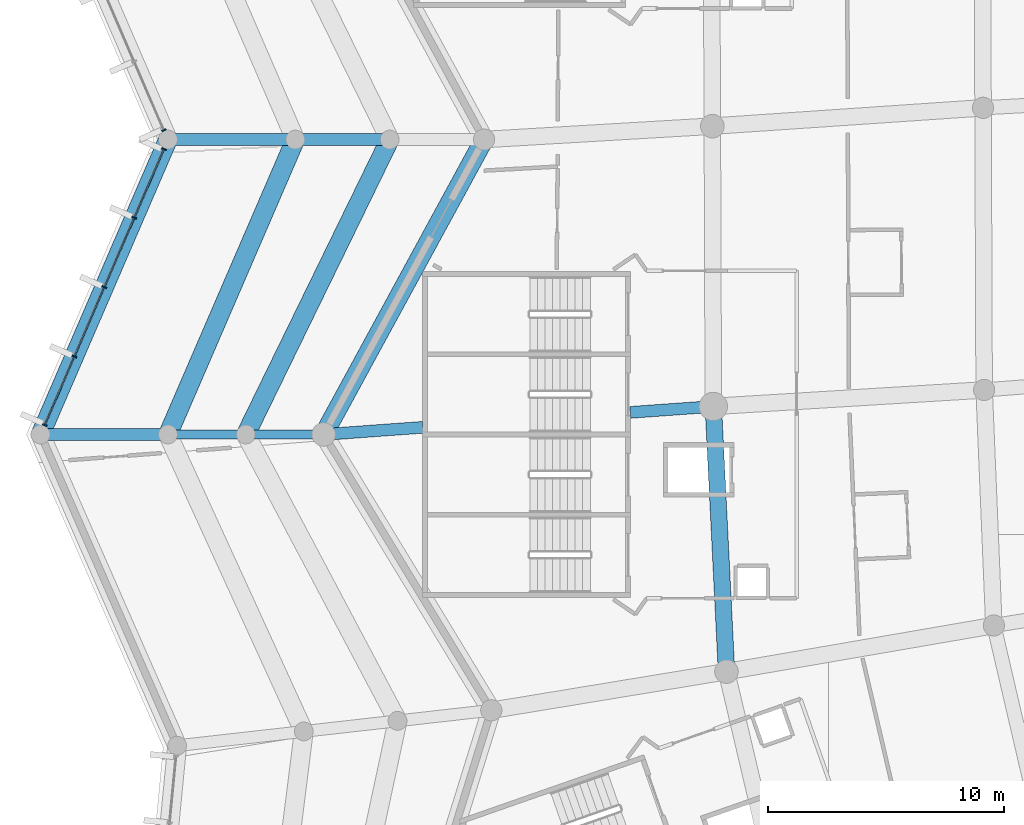
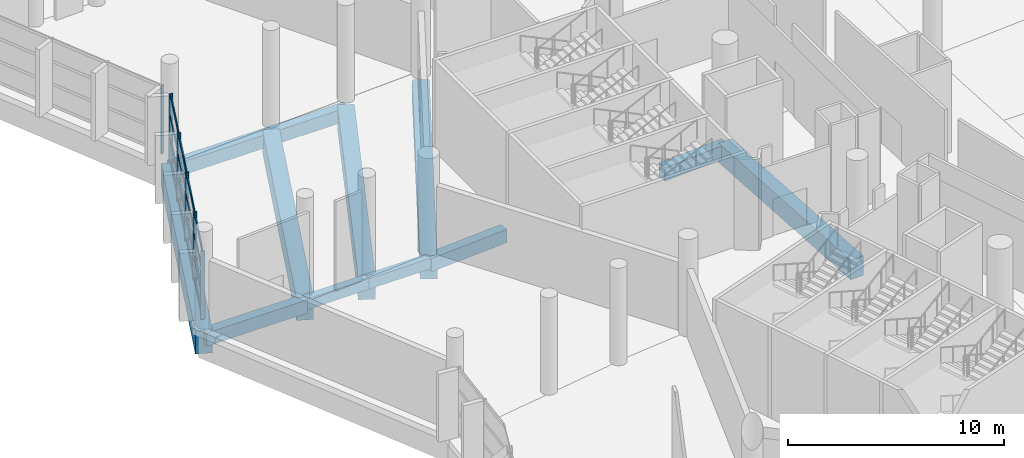
# One storey, part 30 of 271: 22 members, 12 beams, 2 elements without a shape of their own.
"""IFC4 building model written with IfcOpenShell, lengths in metres."""

from ifc_helpers import new_model, si_unit, direction, frame, origin, origin_2d, place, context, subcontext, project, spatial, rectangle, extrude, material, layer, layer_set, material_profile, profile_set, type_object, element, aggregate, save


model = new_model("IFC4")

# Units and contexts
model_context = context("Model", 3, precision=1e-05, world=origin(), true_north=direction((0.0, 1.0)))
body_context = subcontext(model_context, "Body", "Model", "MODEL_VIEW")
ifc_project = project(units=[si_unit("LENGTHUNIT", "METRE"), si_unit("AREAUNIT", "SQUARE_METRE"), si_unit("VOLUMEUNIT", "CUBIC_METRE"), si_unit("PLANEANGLEUNIT", "RADIAN"), si_unit("MASSUNIT", "GRAM", prefix="KILO")], contexts=[model_context])

# Site, building, storey
site_placement = place(None, origin())
site = spatial("IfcSite", under=ifc_project, at=site_placement, CompositionType="ELEMENT")
building_placement = place(site_placement, origin())
building = spatial("IfcBuilding", under=site, at=building_placement, Name="Meseta Stadium", CompositionType="ELEMENT")
storey_placement = place(building_placement, frame((0.0, 0.0, 6.5)))
storey = spatial("IfcBuildingStorey", under=building, at=storey_placement, Name="L01", CompositionType="ELEMENT", Elevation=6.5)

# Beams
ifc_material_1 = material(Name="Concrete C40/50", Category="concrete")
ifc_material_profile_1 = material_profile(ifc_material_1, rectangle(XDim=0.39990234375, YDim=0.60009765625, at=origin_2d()), Name="RC 400x600")
ifc_profile_set_1 = profile_set([ifc_material_profile_1], Name="Concrete C40/50")
beam_type_1 = type_object("IfcBeamType", Name="RC beam 400x600", PredefinedType="BEAM", material=ifc_profile_set_1)
for number, where, z_axis, x_axis, name in (
    (1, (-101.39990234375, -43.75, -0.64990234375), (-1.0, 0.0, 0.0), (0.0, -1.0, 0.0), "L01 radial beam frame 36 line R to M"),
    (2, (-104.699951171875, -43.75, -0.64990234375), (-1.0, 0.0, 0.0), (0.0, -1.0, 0.0), "L01 radial beam frame 36 line M to Q"),
):
    element("IfcBeam", number, at=place(storey_placement, frame(where, z_axis=z_axis, x_axis=x_axis)), inside=storey, type_object=beam_type_1, Name=name, PredefinedType="BEAM", context=body_context, shape_type="SweptSolid", body=[
        extrude(rectangle(XDim=0.39990234375, YDim=0.60009765625, at=origin_2d()), origin(), (0.0, 0.0, 1.0), 3.300048828125),
    ])
ifc_material_2 = material(Name="Concrete C40/50", Category="concrete")
ifc_material_profile_2 = material_profile(ifc_material_2, rectangle(XDim=0.5, YDim=0.75, at=origin_2d()), Name="RC 500x750")
ifc_profile_set_2 = profile_set([ifc_material_profile_2], Name="Concrete C40/50")
beam_type_2 = type_object("IfcBeamType", Name="RC beam 500x750", PredefinedType="BEAM", material=ifc_profile_set_2)
beam_1_placement = place(storey_placement, frame((-84.884033203125, -42.5615234375, -0.72509765625), z_axis=(-0.997422358581, -0.071754014547, 0.0), x_axis=(0.071754014547, -0.997422358581, 0.0)))
element("IfcBeam", 3, at=beam_1_placement, inside=storey, type_object=beam_type_2, Name="L01 radial beam frame 36 line P to R", PredefinedType="BEAM", context=body_context, shape_type="SweptSolid", body=[
    extrude(rectangle(XDim=0.5, YDim=0.75, at=origin_2d()), origin(), (0.0, 0.0, 1.0), 3.52490234375),
])
beam_2_placement = place(storey_placement, frame((-97.199951171875, -43.44775390625, -0.72509765625), z_axis=(-0.997420591967, -0.071778567276, 0.0), x_axis=(0.071778567276, -0.997420591967, 0.0)))
element("IfcBeam", 4, at=beam_2_placement, inside=storey, type_object=beam_type_2, Name="L01 radial beam frame 36 line P to R", PredefinedType="BEAM", context=body_context, shape_type="SweptSolid", body=[
    extrude(rectangle(XDim=0.5, YDim=0.75, at=origin_2d()), origin(), (0.0, 0.0, 1.0), 4.210693359375),
])
beam_3_placement = place(storey_placement, frame((-98.60009765625, -31.25, -0.72509765625), z_axis=(-1.0, 0.0, 0.0), x_axis=(0.0, -1.0, 0.0)))
element("IfcBeam", 5, at=beam_3_placement, inside=storey, type_object=beam_type_2, Name="L01 radial beam frame 35 line M to Q", PredefinedType="BEAM", context=body_context, shape_type="SweptSolid", body=[
    extrude(rectangle(XDim=0.5, YDim=0.75, at=origin_2d()), origin(), (0.0, 0.0, 1.0), 4.0),
])
for number, where, z_axis, x_axis, name in (
    (6, (-102.60009765625, -31.25, -0.72509765625), (-1.0, 0.0, 0.0), (0.0, -1.0, 0.0), "L01 radial beam frame 35 line Q to O"),
    (7, (-108.0, -43.75, -0.72509765625), (-1.0, 0.0, 0.0), (0.0, -1.0, 0.0), "L01 radial beam frame 36 line Q to O"),
):
    element("IfcBeam", number, at=place(storey_placement, frame(where, z_axis=z_axis, x_axis=x_axis)), inside=storey, type_object=beam_type_2, Name=name, PredefinedType="BEAM", context=body_context, shape_type="SweptSolid", body=[
        extrude(rectangle(XDim=0.5, YDim=0.75, at=origin_2d()), origin(), (0.0, 0.0, 1.0), 5.39990234375),
    ])
ifc_material_3 = material(Name="Concrete C40/50", Category="concrete")
ifc_material_profile_3 = material_profile(ifc_material_3, rectangle(XDim=0.699951171875, YDim=1.10009765625, at=origin_2d()), Name="RC 700x1100")
ifc_profile_set_3 = profile_set([ifc_material_profile_3], Name="Concrete C40/50")
beam_type_3 = type_object("IfcBeamType", Name="RC beam 700x1100", PredefinedType="BEAM", material=ifc_profile_set_3)
beam_4_placement = place(storey_placement, frame((-84.884033203125, -42.5615234375, -0.89990234375), z_axis=(0.049657379323, -0.998766311346, 0.0), x_axis=(0.998766311346, 0.049657379323, 0.0)))
element("IfcBeam", 8, at=beam_4_placement, inside=storey, type_object=beam_type_3, Name="L01 ring beam frame 36 line P", PredefinedType="BEAM", context=body_context, shape_type="SweptSolid", body=[
    extrude(rectangle(XDim=0.699951171875, YDim=1.10009765625, at=origin_2d()), origin(), (0.0, 0.0, 1.0), 11.25390625),
])
ifc_material_4 = material(Name="Concrete C40/50", Category="concrete")
ifc_material_profile_4 = material_profile(ifc_material_4, rectangle(XDim=0.800048828125, YDim=1.300048828125, at=origin_2d()), Name="RC 800x1300")
ifc_profile_set_4 = profile_set([ifc_material_profile_4], Name="Concrete C40/50")
beam_type_4 = type_object("IfcBeamType", Name="RC beam 800x1300", PredefinedType="BEAM", material=ifc_profile_set_4)
beam_5_placement = place(storey_placement, frame((-94.60009765625, -31.25, -1.0), z_axis=(-0.47785649891, -0.878437912689, 0.0), x_axis=(0.878437912689, -0.47785649891, 0.0)))
element("IfcBeam", 9, at=beam_5_placement, inside=storey, type_object=beam_type_4, Name="L01 ring beam frame 35 line R", PredefinedType="BEAM", context=body_context, shape_type="SweptSolid", body=[
    extrude(rectangle(XDim=0.800048828125, YDim=1.300048828125, at=origin_2d()), origin(), (0.0, 0.0, 1.0), 14.229736328125),
])
beam_6_placement = place(storey_placement, frame((-98.60009765625, -31.25, -1.0), z_axis=(-0.438556770405, -0.898703487882, 0.0), x_axis=(0.898703487882, -0.438556770405, 0.0)))
element("IfcBeam", 10, at=beam_6_placement, inside=storey, type_object=beam_type_4, Name="L01 ring beam frame 35 line M", PredefinedType="BEAM", context=body_context, shape_type="SweptSolid", body=[
    extrude(rectangle(XDim=0.800048828125, YDim=1.300048828125, at=origin_2d()), origin(), (0.0, 0.0, 1.0), 13.908935546875),
])
for number, where, z_axis, x_axis, name in (
    (11, (-102.60009765625, -31.25, -1.0), (-0.396570645327, -0.918004206562, 0.0), (0.918004206562, -0.396570645327, 0.0), "L01 ring beam frame 35 line Q"),
    (12, (-108.0, -31.25, -1.0), (-0.396570645327, -0.918004206562, 0.0), (0.918004206562, -0.396570645327, 0.0), "L01 ring beam frame 35 line O"),
):
    element("IfcBeam", number, at=place(storey_placement, frame(where, z_axis=z_axis, x_axis=x_axis)), inside=storey, type_object=beam_type_4, Name=name, PredefinedType="BEAM", context=body_context, shape_type="SweptSolid", body=[
        extrude(rectangle(XDim=0.800048828125, YDim=1.300048828125, at=origin_2d()), origin(), (0.0, 0.0, 1.0), 13.616455078125),
    ])

# Curtain wall, member
ifc_material_5 = material(Name="Aluminium", Category="aluminium")
ifc_layer = layer(ifc_material_5, 0.199951171875)
ifc_layer_set = layer_set([ifc_layer], Name="Ring shopfront curtain wall")
curtain_wall_type = type_object("IfcCurtainWallType", Name="Ring shopfront curtain wall", PredefinedType="NOTDEFINED", material=ifc_layer_set)
curtain_wall_1_placement = place(storey_placement, origin())
curtain_wall_1 = element("IfcCurtainWall", 13, at=curtain_wall_1_placement, inside=storey, type_object=curtain_wall_type, Name="Ring glazing L01 F34", PredefinedType="NOTDEFINED")
ifc_material_6 = material(Name="Aluminium", Category="aluminium")
ifc_material_profile_5 = material_profile(ifc_material_6, rectangle(XDim=0.199951171875, YDim=0.06005859375, at=origin_2d()), Name="CW 200x60")
ifc_profile_set_5 = profile_set([ifc_material_profile_5], Name="Aluminium")
member_type_1 = type_object("IfcMemberType", Name="Ring CW mullion 60x200", PredefinedType="MULLION", material=ifc_profile_set_5)
member_1_placement = place(storey_placement, frame((-108.17041015625, -30.855224609375, 0.0), z_axis=(0.0, 0.0, 1.0), x_axis=(0.91799986854, 0.396580687073, 0.0)))
member_1 = element("IfcMember", 14, at=member_1_placement, type_object=member_type_1, Name="CWR1 mullion 5", PredefinedType="MULLION", context=body_context, shape_type="SweptSolid", body=[
    extrude(rectangle(XDim=0.199951171875, YDim=0.06005859375, at=origin_2d()), origin(), (0.0, 0.0, 1.0), 3.85009765625),
])
aggregate(curtain_wall_1, [member_1])

# Curtain wall, members
curtain_wall_2_placement = place(storey_placement, origin())
curtain_wall_2 = element("IfcCurtainWall", 15, at=curtain_wall_2_placement, inside=storey, type_object=curtain_wall_type, Name="Ring glazing L01 F35", PredefinedType="NOTDEFINED")
member_2_placement = place(storey_placement, frame((-108.17041015625, -31.644775390625, 0.0), z_axis=(0.0, 0.0, 1.0), x_axis=(0.91799986854, -0.396580687073, 0.0)))
member_2 = element("IfcMember", 16, at=member_2_placement, type_object=member_type_1, Name="CWR1 mullion 1", PredefinedType="MULLION", context=body_context, shape_type="SweptSolid", body=[
    extrude(rectangle(XDim=0.199951171875, YDim=0.06005859375, at=origin_2d()), origin(), (0.0, 0.0, 1.0), 3.85009765625),
])
member_3_placement = place(storey_placement, frame((-109.42919921875, -34.55859375, 0.0), z_axis=(0.0, 0.0, 1.0), x_axis=(0.91799986854, -0.396580687073, 0.0)))
member_3 = element("IfcMember", 17, at=member_3_placement, type_object=member_type_1, Name="CWR1 mullion 2", PredefinedType="MULLION", context=body_context, shape_type="SweptSolid", body=[
    extrude(rectangle(XDim=0.199951171875, YDim=0.06005859375, at=origin_2d()), origin(), (0.0, 0.0, 1.0), 3.85009765625),
])
member_4_placement = place(storey_placement, frame((-110.699951171875, -37.5, 0.0), z_axis=(0.0, 0.0, 1.0), x_axis=(0.91799986854, -0.396580687073, 0.0)))
member_4 = element("IfcMember", 18, at=member_4_placement, type_object=member_type_1, Name="CWR1 mullion 3", PredefinedType="MULLION", context=body_context, shape_type="SweptSolid", body=[
    extrude(rectangle(XDim=0.199951171875, YDim=0.06005859375, at=origin_2d()), origin(), (0.0, 0.0, 1.0), 3.85009765625),
])
member_5_placement = place(storey_placement, frame((-111.970703125, -40.44140625, 0.0), z_axis=(0.0, 0.0, 1.0), x_axis=(0.91799986854, -0.396580687073, 0.0)))
member_5 = element("IfcMember", 19, at=member_5_placement, type_object=member_type_1, Name="CWR1 mullion 4", PredefinedType="MULLION", context=body_context, shape_type="SweptSolid", body=[
    extrude(rectangle(XDim=0.199951171875, YDim=0.06005859375, at=origin_2d()), origin(), (0.0, 0.0, 1.0), 3.85009765625),
])
member_6_placement = place(storey_placement, frame((-113.2294921875, -43.355224609375, 0.0), z_axis=(0.0, 0.0, 1.0), x_axis=(0.91799986854, -0.396580687073, 0.0)))
member_6 = element("IfcMember", 20, at=member_6_placement, type_object=member_type_1, Name="CWR1 mullion 5", PredefinedType="MULLION", context=body_context, shape_type="SweptSolid", body=[
    extrude(rectangle(XDim=0.199951171875, YDim=0.06005859375, at=origin_2d()), origin(), (0.0, 0.0, 1.0), 3.85009765625),
])
ifc_material_7 = material(Name="Aluminium", Category="aluminium")
ifc_material_profile_6 = material_profile(ifc_material_7, rectangle(XDim=0.06005859375, YDim=0.14990234375, at=origin_2d()), Name="CW 60x150")
ifc_profile_set_6 = profile_set([ifc_material_profile_6], Name="Aluminium")
member_type_2 = type_object("IfcMemberType", Name="Ring CW transom 60x150", PredefinedType="USERDEFINED", material=ifc_profile_set_6)
member_7_placement = place(storey_placement, frame((-108.182373046875, -31.67236328125, 0.074951171875), z_axis=(-0.396623730244, -0.917981272471, 0.0), x_axis=(0.917981272471, -0.396623730244, 0.0)))
member_7 = element("IfcMember", 21, at=member_7_placement, type_object=member_type_2, Name="CWR1 transom 1.1", ObjectType="TRANSOM", PredefinedType="USERDEFINED", context=body_context, shape_type="SweptSolid", body=[
    extrude(rectangle(XDim=0.06005859375, YDim=0.14990234375, at=origin_2d()), origin(), (0.0, 0.0, 1.0), 3.114013671875),
])
member_8_placement = place(storey_placement, frame((-108.182373046875, -31.67236328125, 1.283447265625), z_axis=(-0.396623730244, -0.917981272471, 0.0), x_axis=(0.917981272471, -0.396623730244, 0.0)))
member_8 = element("IfcMember", 22, at=member_8_placement, type_object=member_type_2, Name="CWR1 transom 1.2", ObjectType="TRANSOM", PredefinedType="USERDEFINED", context=body_context, shape_type="SweptSolid", body=[
    extrude(rectangle(XDim=0.06005859375, YDim=0.14990234375, at=origin_2d()), origin(), (0.0, 0.0, 1.0), 3.114013671875),
])
member_9_placement = place(storey_placement, frame((-108.182373046875, -31.67236328125, 2.566650390625), z_axis=(-0.396623730244, -0.917981272471, 0.0), x_axis=(0.917981272471, -0.396623730244, 0.0)))
member_9 = element("IfcMember", 23, at=member_9_placement, type_object=member_type_2, Name="CWR1 transom 1.3", ObjectType="TRANSOM", PredefinedType="USERDEFINED", context=body_context, shape_type="SweptSolid", body=[
    extrude(rectangle(XDim=0.06005859375, YDim=0.14990234375, at=origin_2d()), origin(), (0.0, 0.0, 1.0), 3.114013671875),
])
member_10_placement = place(storey_placement, frame((-108.182373046875, -31.67236328125, 3.77490234375), z_axis=(-0.396623730244, -0.917981272471, 0.0), x_axis=(0.917981272471, -0.396623730244, 0.0)))
member_10 = element("IfcMember", 24, at=member_10_placement, type_object=member_type_2, Name="CWR1 transom 1.4", ObjectType="TRANSOM", PredefinedType="USERDEFINED", context=body_context, shape_type="SweptSolid", body=[
    extrude(rectangle(XDim=0.06005859375, YDim=0.14990234375, at=origin_2d()), origin(), (0.0, 0.0, 1.0), 3.114013671875),
])
member_11_placement = place(storey_placement, frame((-109.441162109375, -34.586181640625, 0.074951171875), z_axis=(-0.396569883564, -0.918004535637, 0.0), x_axis=(0.918004535637, -0.396569883564, 0.0)))
member_11 = element("IfcMember", 25, at=member_11_placement, type_object=member_type_2, Name="CWR1 transom 2.1", ObjectType="TRANSOM", PredefinedType="USERDEFINED", context=body_context, shape_type="SweptSolid", body=[
    extrude(rectangle(XDim=0.06005859375, YDim=0.14990234375, at=origin_2d()), origin(), (0.0, 0.0, 1.0), 3.14404296875),
])
member_12_placement = place(storey_placement, frame((-109.441162109375, -34.586181640625, 1.283447265625), z_axis=(-0.396569883564, -0.918004535637, 0.0), x_axis=(0.918004535637, -0.396569883564, 0.0)))
member_12 = element("IfcMember", 26, at=member_12_placement, type_object=member_type_2, Name="CWR1 transom 2.2", ObjectType="TRANSOM", PredefinedType="USERDEFINED", context=body_context, shape_type="SweptSolid", body=[
    extrude(rectangle(XDim=0.06005859375, YDim=0.14990234375, at=origin_2d()), origin(), (0.0, 0.0, 1.0), 3.14404296875),
])
member_13_placement = place(storey_placement, frame((-109.441162109375, -34.586181640625, 2.566650390625), z_axis=(-0.396569883564, -0.918004535637, 0.0), x_axis=(0.918004535637, -0.396569883564, 0.0)))
member_13 = element("IfcMember", 27, at=member_13_placement, type_object=member_type_2, Name="CWR1 transom 2.3", ObjectType="TRANSOM", PredefinedType="USERDEFINED", context=body_context, shape_type="SweptSolid", body=[
    extrude(rectangle(XDim=0.06005859375, YDim=0.14990234375, at=origin_2d()), origin(), (0.0, 0.0, 1.0), 3.14404296875),
])
member_14_placement = place(storey_placement, frame((-109.441162109375, -34.586181640625, 3.77490234375), z_axis=(-0.396569883564, -0.918004535637, 0.0), x_axis=(0.918004535637, -0.396569883564, 0.0)))
member_14 = element("IfcMember", 28, at=member_14_placement, type_object=member_type_2, Name="CWR1 transom 2.4", ObjectType="TRANSOM", PredefinedType="USERDEFINED", context=body_context, shape_type="SweptSolid", body=[
    extrude(rectangle(XDim=0.06005859375, YDim=0.14990234375, at=origin_2d()), origin(), (0.0, 0.0, 1.0), 3.14404296875),
])
member_15_placement = place(storey_placement, frame((-110.7119140625, -37.527587890625, 0.074951171875), z_axis=(-0.396569883564, -0.918004535637, 0.0), x_axis=(0.918004535637, -0.396569883564, 0.0)))
member_15 = element("IfcMember", 29, at=member_15_placement, type_object=member_type_2, Name="CWR1 transom 3.1", ObjectType="TRANSOM", PredefinedType="USERDEFINED", context=body_context, shape_type="SweptSolid", body=[
    extrude(rectangle(XDim=0.06005859375, YDim=0.14990234375, at=origin_2d()), origin(), (0.0, 0.0, 1.0), 3.14404296875),
])
member_16_placement = place(storey_placement, frame((-110.7119140625, -37.527587890625, 1.283447265625), z_axis=(-0.396569883564, -0.918004535637, 0.0), x_axis=(0.918004535637, -0.396569883564, 0.0)))
member_16 = element("IfcMember", 30, at=member_16_placement, type_object=member_type_2, Name="CWR1 transom 3.2", ObjectType="TRANSOM", PredefinedType="USERDEFINED", context=body_context, shape_type="SweptSolid", body=[
    extrude(rectangle(XDim=0.06005859375, YDim=0.14990234375, at=origin_2d()), origin(), (0.0, 0.0, 1.0), 3.14404296875),
])
member_17_placement = place(storey_placement, frame((-110.7119140625, -37.527587890625, 2.566650390625), z_axis=(-0.396569883564, -0.918004535637, 0.0), x_axis=(0.918004535637, -0.396569883564, 0.0)))
member_17 = element("IfcMember", 31, at=member_17_placement, type_object=member_type_2, Name="CWR1 transom 3.3", ObjectType="TRANSOM", PredefinedType="USERDEFINED", context=body_context, shape_type="SweptSolid", body=[
    extrude(rectangle(XDim=0.06005859375, YDim=0.14990234375, at=origin_2d()), origin(), (0.0, 0.0, 1.0), 3.14404296875),
])
member_18_placement = place(storey_placement, frame((-110.7119140625, -37.527587890625, 3.77490234375), z_axis=(-0.396569883564, -0.918004535637, 0.0), x_axis=(0.918004535637, -0.396569883564, 0.0)))
member_18 = element("IfcMember", 32, at=member_18_placement, type_object=member_type_2, Name="CWR1 transom 3.4", ObjectType="TRANSOM", PredefinedType="USERDEFINED", context=body_context, shape_type="SweptSolid", body=[
    extrude(rectangle(XDim=0.06005859375, YDim=0.14990234375, at=origin_2d()), origin(), (0.0, 0.0, 1.0), 3.14404296875),
])
member_19_placement = place(storey_placement, frame((-111.982666015625, -40.468994140625, 0.074951171875), z_axis=(-0.396557660608, -0.91800981575, 0.0), x_axis=(0.91800981575, -0.396557660608, 0.0)))
member_19 = element("IfcMember", 33, at=member_19_placement, type_object=member_type_2, Name="CWR1 transom 4.1", ObjectType="TRANSOM", PredefinedType="USERDEFINED", context=body_context, shape_type="SweptSolid", body=[
    extrude(rectangle(XDim=0.06005859375, YDim=0.14990234375, at=origin_2d()), origin(), (0.0, 0.0, 1.0), 3.114013671875),
])
member_20_placement = place(storey_placement, frame((-111.982666015625, -40.468994140625, 1.283447265625), z_axis=(-0.396557660608, -0.91800981575, 0.0), x_axis=(0.91800981575, -0.396557660608, 0.0)))
member_20 = element("IfcMember", 34, at=member_20_placement, type_object=member_type_2, Name="CWR1 transom 4.2", ObjectType="TRANSOM", PredefinedType="USERDEFINED", context=body_context, shape_type="SweptSolid", body=[
    extrude(rectangle(XDim=0.06005859375, YDim=0.14990234375, at=origin_2d()), origin(), (0.0, 0.0, 1.0), 3.114013671875),
])
member_21_placement = place(storey_placement, frame((-111.982666015625, -40.468994140625, 2.566650390625), z_axis=(-0.396557660608, -0.91800981575, 0.0), x_axis=(0.91800981575, -0.396557660608, 0.0)))
member_21 = element("IfcMember", 35, at=member_21_placement, type_object=member_type_2, Name="CWR1 transom 4.3", ObjectType="TRANSOM", PredefinedType="USERDEFINED", context=body_context, shape_type="SweptSolid", body=[
    extrude(rectangle(XDim=0.06005859375, YDim=0.14990234375, at=origin_2d()), origin(), (0.0, 0.0, 1.0), 3.114013671875),
])
member_22_placement = place(storey_placement, frame((-111.982666015625, -40.468994140625, 3.77490234375), z_axis=(-0.396557660608, -0.91800981575, 0.0), x_axis=(0.91800981575, -0.396557660608, 0.0)))
member_22 = element("IfcMember", 36, at=member_22_placement, type_object=member_type_2, Name="CWR1 transom 4.4", ObjectType="TRANSOM", PredefinedType="USERDEFINED", context=body_context, shape_type="SweptSolid", body=[
    extrude(rectangle(XDim=0.06005859375, YDim=0.14990234375, at=origin_2d()), origin(), (0.0, 0.0, 1.0), 3.114013671875),
])
aggregate(curtain_wall_2, [member_2, member_3, member_4, member_5, member_6, member_7, member_8, member_9, member_10, member_11, member_12, member_13, member_14, member_15, member_16, member_17, member_18, member_19, member_20, member_21, member_22])

save(model, "model.ifc")
